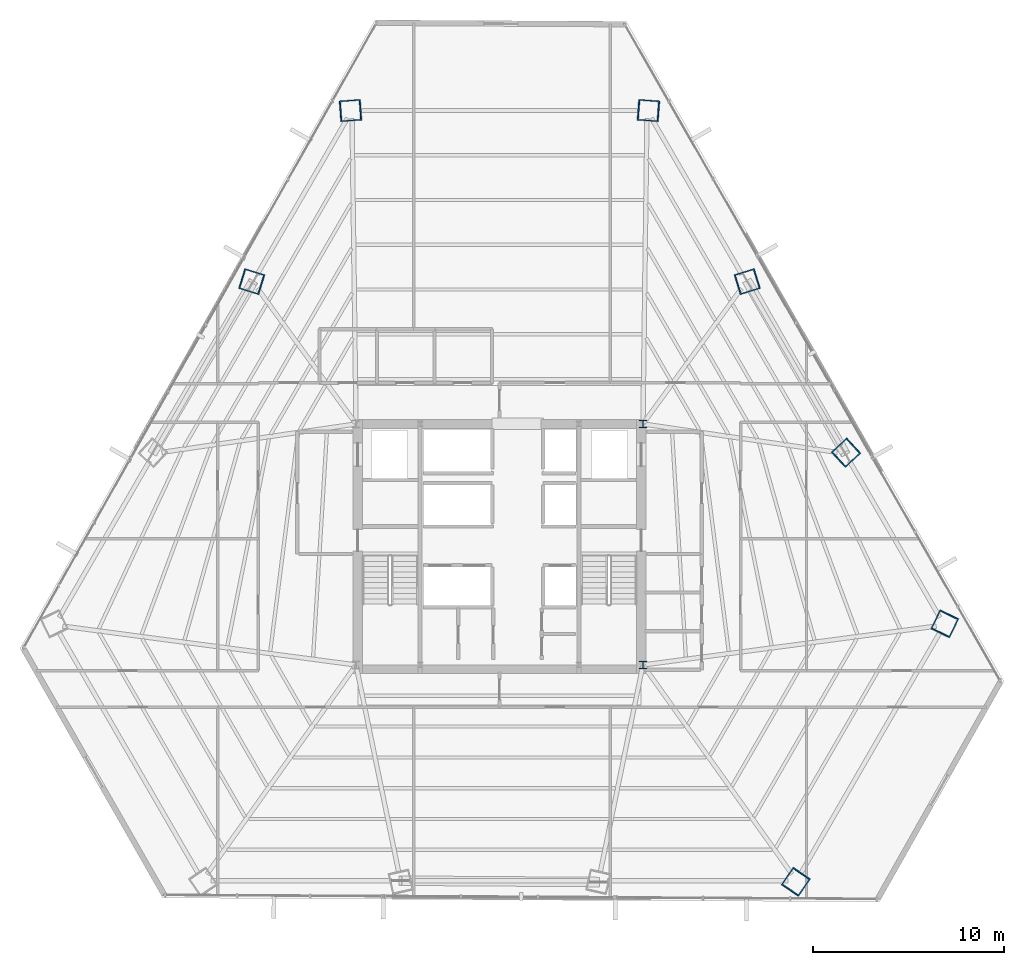
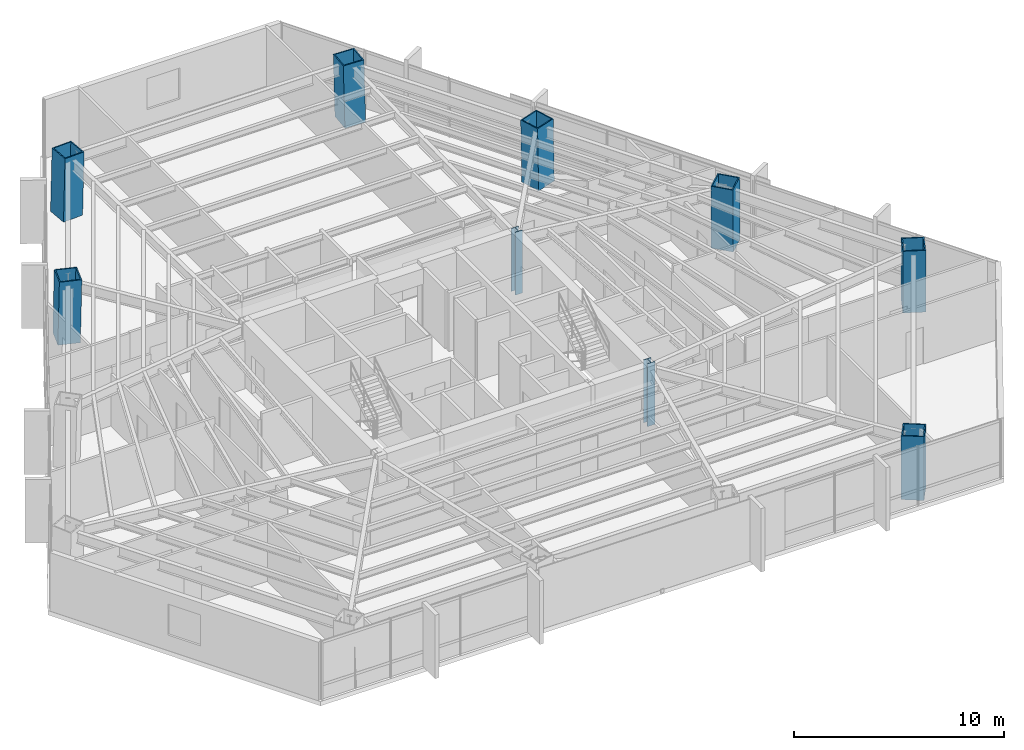
# One storey, part 3 of 35: 9 columns.
"""IFC4 building model written with IfcOpenShell, lengths in metres."""

from ifc_helpers import new_model, si_unit, direction, frame, origin, origin_2d, place, context, subcontext, project, spatial, hollow_rectangle, i_section, extrude, source, transform, mapped, material, material_profile, profile_set, type_object, type_shapes, element, save


model = new_model("IFC4")

# Units and contexts
model_context = context("Model", 3, precision=1e-05, world=origin(), true_north=direction((0.0, 1.0)))
body_context = subcontext(model_context, "Body", "Model", "MODEL_VIEW")
ifc_project = project(units=[si_unit("LENGTHUNIT", "METRE"), si_unit("AREAUNIT", "SQUARE_METRE"), si_unit("VOLUMEUNIT", "CUBIC_METRE"), si_unit("PLANEANGLEUNIT", "RADIAN"), si_unit("MASSUNIT", "GRAM", prefix="KILO")], contexts=[model_context])

# Site, building, storey
site_placement = place(None, origin())
site = spatial("IfcSite", under=ifc_project, at=site_placement, CompositionType="ELEMENT")
building_placement = place(site_placement, origin())
building = spatial("IfcBuilding", under=site, at=building_placement, Name="Caelisora Broadcast Tower", CompositionType="ELEMENT")
storey_placement = place(building_placement, frame((0.0, 0.0, 90.800048828125)))
storey = spatial("IfcBuildingStorey", under=building, at=storey_placement, Name="L23", CompositionType="ELEMENT", Elevation=90.800048828125)

# Columns
ifc_material_1 = material(Name="Steel Grade 350 (AS/NZS 3679.2)", Category="steel")
ifc_material_profile_1 = material_profile(ifc_material_1, i_section(OverallWidth=0.39990234375, OverallDepth=0.39990234375, WebThickness=0.02001953125, FlangeThickness=0.031982421875, at=origin_2d()), Name="Steel Grade 350 (AS/NZS 3679.2)")
ifc_profile_set_1 = profile_set([ifc_material_profile_1], Name="Steel Grade 350 (AS/NZS 3679.2)")
column_type_1 = type_object("IfcColumnType", Name="CC02", PredefinedType="COLUMN", material=ifc_profile_set_1)
shared_shape_1 = source(origin(), body_context, "Body", "SweptSolid", [
    extrude(i_section(OverallWidth=0.39990234375, OverallDepth=0.39990234375, WebThickness=0.02001953125, FlangeThickness=0.031982421875, at=origin_2d()), origin(), (0.0, 0.0, 1.0), 3.64990234375),
])
type_shapes(column_type_1, [shared_shape_1])
for number, where, z_axis, x_axis, name in (
    (1, (45.5, 17.39990234375, 0.0), (0.0, 0.0, 1.0), (1.0, 0.0, 0.0), "L23 column CC02"),
    (2, (45.5, 30.0, 0.0), (0.0, 0.0, 1.0), (1.0, 0.0, 0.0), "L23 column CC02"),
):
    element("IfcColumn", number, at=place(storey_placement, frame(where, z_axis=z_axis, x_axis=x_axis)), inside=storey, type_object=column_type_1, Name=name, PredefinedType="COLUMN", context=body_context, shape_type="MappedRepresentation", body=[
        mapped(shared_shape_1, transform((0.0, 0.0, 0.0), scale=1.0)),
    ])
ifc_material_2 = material(Name="Steel Grade 350 L15 (AS/NZS 3678)", Category="steel")
ifc_material_profile_2 = material_profile(ifc_material_2, hollow_rectangle(XDim=1.10009765625, YDim=1.10009765625, WallThickness=0.06005859375, at=origin_2d()), Name="Steel Grade 350 L15 (AS/NZS 3678)")
ifc_profile_set_2 = profile_set([ifc_material_profile_2], Name="Steel Grade 350 L15 (AS/NZS 3678)")
column_type_2 = type_object("IfcColumnType", Name="MC03", PredefinedType="COLUMN", material=ifc_profile_set_2)
shared_shape_2 = source(origin(), body_context, "Body", "SweptSolid", [
    extrude(hollow_rectangle(XDim=1.10009765625, YDim=1.10009765625, WallThickness=0.06005859375, at=origin_2d()), origin(), (0.0, 0.0, 1.0), 3.65087890625),
])
for number, where, z_axis, x_axis, name in (
    (3, (45.8017578125, 46.38330078125, 0.0), (-0.023872756997, 0.001738632162, 0.999713493273), (-0.07263675076, -0.997358462359, 0.0), "L23 column MC03"),
    (4, (30.1982421875, 46.38330078125, 0.0), (0.023872756997, 0.001738632162, 0.999713493273), (-0.07263675076, 0.997358462359, 0.0), "L23 column MC03"),
    (5, (53.4833984375, 6.0517578125, 0.0), (0.013507825582, 0.019793645407, 0.999712833893), (-0.825991119814, 0.563683129062, 0.0), "L23 column MC03"),
    (6, (61.285400390625, 19.56494140625, 0.0), (-0.010431780378, -0.021599135014, 0.999712286273), (0.900476348161, -0.434904985489, 0.0), "L23 column MC03"),
):
    element("IfcColumn", number, at=place(storey_placement, frame(where, z_axis=z_axis, x_axis=x_axis)), inside=storey, type_object=column_type_2, Name=name, PredefinedType="COLUMN", context=body_context, shape_type="MappedRepresentation", body=[
        mapped(shared_shape_2, transform((0.0, 0.0, 0.0), scale=1.0)),
    ])
shared_shape_3 = source(origin(), body_context, "Body", "SweptSolid", [
    extrude(hollow_rectangle(XDim=1.10009765625, YDim=1.10009765625, WallThickness=0.06005859375, at=origin_2d()), origin(), (0.0, 0.0, 1.0), 3.650634765625),
])
type_shapes(column_type_2, [shared_shape_2, shared_shape_3])
for number, where, z_axis, x_axis, name in (
    (7, (25.037109375, 37.44384765625, 0.0), (0.019393993486, -0.006018825565, 0.999793802119), (0.296399214872, 0.955064136811, 0.0), "L23 column MC03"),
    (8, (56.124267578125, 28.50439453125, 0.0), (-0.014980174271, -0.013776410267, 0.999792881), (0.676914144191, -0.736061982033, 0.0), "L23 column MC03"),
    (9, (50.962890625, 37.44384765625, 0.0), (-0.019393993486, -0.006018825565, 0.999793802119), (0.296399214872, -0.955064136811, 0.0), "L23 column MC03"),
):
    element("IfcColumn", number, at=place(storey_placement, frame(where, z_axis=z_axis, x_axis=x_axis)), inside=storey, type_object=column_type_2, Name=name, PredefinedType="COLUMN", context=body_context, shape_type="MappedRepresentation", body=[
        mapped(shared_shape_3, transform((0.0, 0.0, 0.0), scale=1.0)),
    ])

save(model, "model.ifc")
